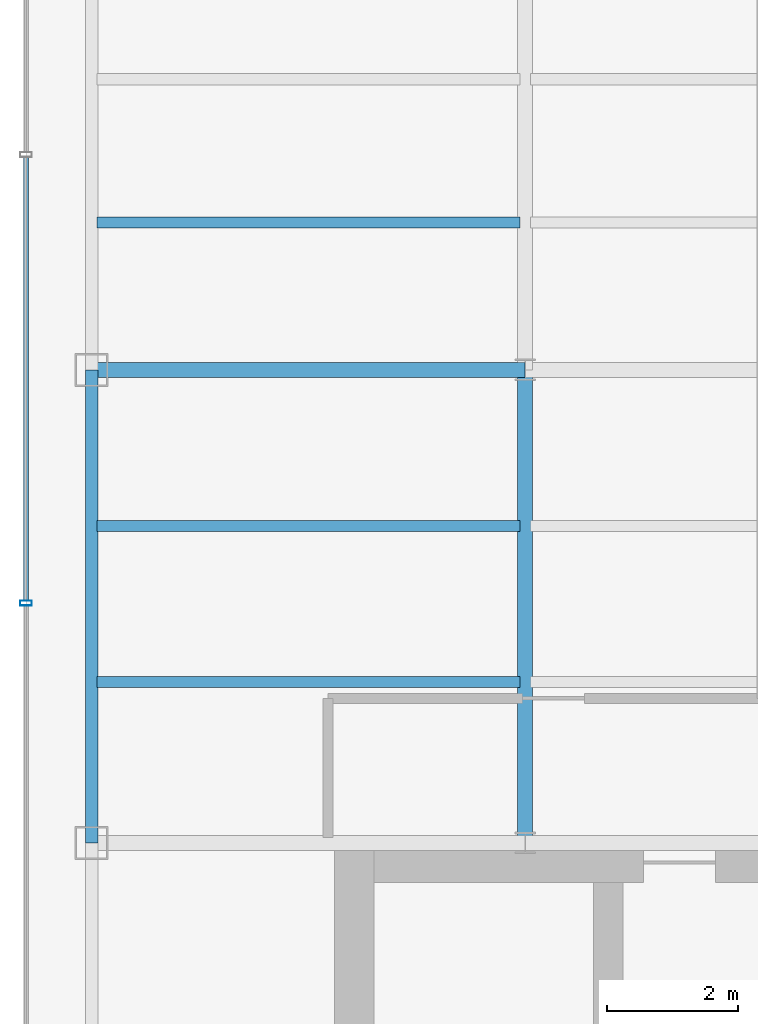
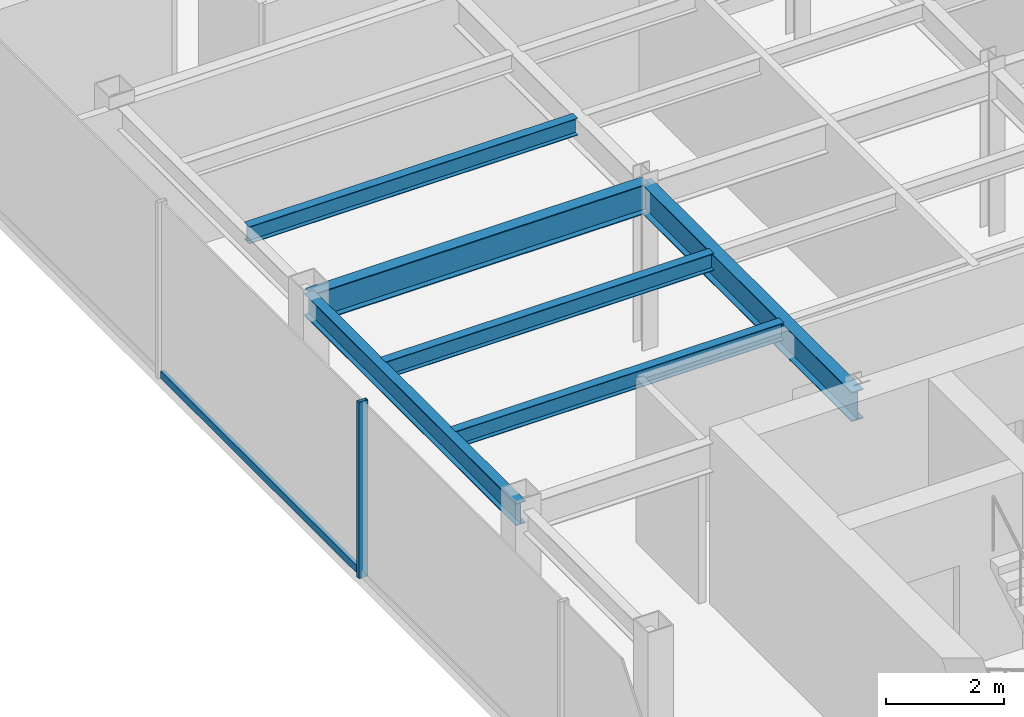
# One storey, part 5 of 22: 6 beams, 2 members, 1 element without a shape of its own.
"""IFC4 building model written with IfcOpenShell, lengths in metres."""

from ifc_helpers import new_model, si_unit, derived_unit, direction, frame, origin, origin_2d, place, context, subcontext, project, spatial, hollow_rectangle, i_section, extrude, source, transform, mapped, material, material_profile, profile_set, type_object, element, aggregate, save


model = new_model("IFC4")

# Units and contexts
model_context = context("Model", 3, precision=1e-05, world=origin(), true_north=direction((0.0, 1.0)))
body_context = subcontext(model_context, "Body", "Model", "MODEL_VIEW")
ifc_project = project(units=[si_unit("LENGTHUNIT", "METRE"), si_unit("AREAUNIT", "SQUARE_METRE"), si_unit("VOLUMEUNIT", "CUBIC_METRE"), si_unit("PLANEANGLEUNIT", "RADIAN"), si_unit("MASSUNIT", "GRAM", prefix="KILO"), derived_unit("THERMALTRANSMITTANCEUNIT", [(si_unit("POWERUNIT", "WATT"), 1), (si_unit("LENGTHUNIT", "METRE"), -2), (si_unit("THERMODYNAMICTEMPERATUREUNIT", "KELVIN"), -1)])], contexts=[model_context])

# Site, building, storey
site_placement = place(None, origin())
site = spatial("IfcSite", under=ifc_project, at=site_placement, CompositionType="ELEMENT")
building_placement = place(site_placement, origin())
building = spatial("IfcBuilding", under=site, at=building_placement, Name="Skarnbrae Concourse Arena and Tower", CompositionType="ELEMENT")
storey_placement = place(building_placement, frame((0.0, 0.0, 192.25)))
storey = spatial("IfcBuildingStorey", under=building, at=storey_placement, Name="L49", CompositionType="ELEMENT", Elevation=192.25)

# Beams
ifc_material_1 = material(Name="Steel CSA G40.21 350W", Category="steel")
ifc_material_profile_1 = material_profile(ifc_material_1, i_section(OverallWidth=0.22802734375, OverallDepth=0.60791015625, WebThickness=0.01123046875, FlangeThickness=0.017333984375, at=origin_2d()), Name="W610X113")
ifc_profile_set_1 = profile_set([ifc_material_profile_1], Name="Steel CSA G40.21 350W")
beam_type_1 = type_object("IfcBeamType", Name="BM-GIRD-W610X113", PredefinedType="BEAM", material=ifc_profile_set_1)
shared_shape_1 = source(origin(), body_context, "Body", "SweptSolid", [
    extrude(i_section(OverallWidth=0.22802734375, OverallDepth=0.60791015625, WebThickness=0.01123046875, FlangeThickness=0.017333984375, at=origin_2d()), origin(), (0.0, 0.0, 1.0), 6.60009765625),
])
beam_1_placement = place(storey_placement, frame((1.0, 21.199951171875, 3.095947265625), z_axis=(1.0, 0.0, 0.0), x_axis=(0.0, 1.0, 0.0)))
element("IfcBeam", 1, at=beam_1_placement, inside=storey, type_object=beam_type_1, Name="L49 Primary E-W girder Y21.2-1", PredefinedType="BEAM", context=body_context, shape_type="MappedRepresentation", body=[
    mapped(shared_shape_1, transform((0.0, 0.0, 0.0))),
])
ifc_material_profile_2 = material_profile(ifc_material_1, i_section(OverallWidth=0.19091796875, OverallDepth=0.4599609375, WebThickness=0.010009765625, FlangeThickness=0.01611328125, at=origin_2d()), Name="W460X82")
ifc_profile_set_2 = profile_set([ifc_material_profile_2], Name="Steel CSA G40.21 350W")
beam_type_2 = type_object("IfcBeamType", Name="BM-SPAN-W460X82", PredefinedType="SPANDREL", material=ifc_profile_set_2)
shared_shape_2 = source(origin(), body_context, "Body", "SweptSolid", [
    extrude(i_section(OverallWidth=0.19091796875, OverallDepth=0.4599609375, WebThickness=0.010009765625, FlangeThickness=0.01611328125, at=origin_2d()), origin(), (0.0, 0.0, 1.0), 7.199951171875),
])
beam_2_placement = place(storey_placement, frame((1.0, 14.0, 3.169921875), z_axis=(0.0, 1.0, 0.0), x_axis=(-1.0, 0.0, 0.0)))
element("IfcBeam", 2, at=beam_2_placement, inside=storey, type_object=beam_type_2, Name="L49 Perimeter spandrel X1.0-2", PredefinedType="SPANDREL", context=body_context, shape_type="MappedRepresentation", body=[
    mapped(shared_shape_2, transform((0.0, 0.0, 0.0))),
])
shared_shape_3 = source(origin(), body_context, "Body", "SweptSolid", [
    extrude(i_section(OverallWidth=0.22802734375, OverallDepth=0.60791015625, WebThickness=0.01123046875, FlangeThickness=0.017333984375, at=origin_2d()), origin(), (0.0, 0.0, 1.0), 7.199951171875),
])
beam_3_placement = place(storey_placement, frame((7.60009765625, 14.0, 3.095947265625), z_axis=(0.0, 1.0, 0.0), x_axis=(-1.0, 0.0, 0.0)))
element("IfcBeam", 3, at=beam_3_placement, inside=storey, type_object=beam_type_1, Name="L49 Primary N-S girder X7.6-1", PredefinedType="BEAM", context=body_context, shape_type="MappedRepresentation", body=[
    mapped(shared_shape_3, transform((0.0, 0.0, 0.0))),
])
ifc_material_profile_3 = material_profile(ifc_material_1, i_section(OverallWidth=0.1708984375, OverallDepth=0.35498046875, WebThickness=0.007080078125, FlangeThickness=0.01171875, at=origin_2d()), Name="W360X51")
ifc_profile_set_3 = profile_set([ifc_material_profile_3], Name="Steel CSA G40.21 350W")
beam_type_3 = type_object("IfcBeamType", Name="BM-JOIST-W360X51", PredefinedType="JOIST", material=ifc_profile_set_3)
shared_shape_4 = source(origin(), body_context, "Body", "SweptSolid", [
    extrude(i_section(OverallWidth=0.1708984375, OverallDepth=0.35498046875, WebThickness=0.007080078125, FlangeThickness=0.01171875, at=origin_2d()), origin(), (0.0, 0.0, 1.0), 6.43994140625),
])
for number, where, z_axis, x_axis, name in (
    (4, (1.080078125, 16.447998046875, 3.222412109375), (1.0, 0.0, 0.0), (0.0, 1.0, 0.0), "L49 Secondary floor joist 1.1.1"),
    (5, (1.080078125, 18.823974609375, 3.222412109375), (1.0, 0.0, 0.0), (0.0, 1.0, 0.0), "L49 Secondary floor joist 1.2.1"),
    (6, (1.080078125, 23.444091796875, 3.222412109375), (1.0, 0.0, 0.0), (0.0, 1.0, 0.0), "L49 Secondary floor joist 2.1.1"),
):
    element("IfcBeam", number, at=place(storey_placement, frame(where, z_axis=z_axis, x_axis=x_axis)), inside=storey, type_object=beam_type_3, Name=name, PredefinedType="JOIST", context=body_context, shape_type="MappedRepresentation", body=[
        mapped(shared_shape_4, transform((0.0, 0.0, 0.0))),
    ])

# Curtain wall, members
ifc_material_2 = material(Name="Bronze anodised aluminium 6063-T6", Category="aluminium")
curtain_wall_type = type_object("IfcCurtainWallType", Name="CW-SYS-05-HIGHZONE", PredefinedType="USERDEFINED", material=ifc_material_2)
curtain_wall_placement = place(storey_placement, origin())
curtain_wall = element("IfcCurtainWall", 7, at=curtain_wall_placement, inside=storey, type_object=curtain_wall_type, Name="L49 Unitised curtain wall CW-L49-E18", ObjectType="UNITISED CURTAIN WALL", PredefinedType="USERDEFINED")
ifc_material_profile_4 = material_profile(ifc_material_2, hollow_rectangle(XDim=0.074951171875, YDim=0.179931640625, WallThickness=0.00390625, at=origin_2d()), Name="ALU-MULL-75X180")
ifc_profile_set_4 = profile_set([ifc_material_profile_4], Name="Bronze anodised aluminium 6063-T6")
member_type_1 = type_object("IfcMemberType", Name="CWM-CW-05", PredefinedType="MULLION", material=ifc_profile_set_4)
shared_shape_5 = source(origin(), body_context, "Body", "SweptSolid", [
    extrude(hollow_rectangle(XDim=0.074951171875, YDim=0.179931640625, WallThickness=0.00390625, at=origin_2d()), origin(), (0.0, 0.0, 1.0), 3.64990234375),
])
member_1_placement = place(storey_placement, frame((0.0, 17.64990234375, 0.0), z_axis=(0.0, 0.0, 1.0), x_axis=(0.0, -1.0, 0.0)))
member_1 = element("IfcMember", 8, at=member_1_placement, type_object=member_type_1, Name="CW-L49-E18 Mullion 3", PredefinedType="MULLION", context=body_context, shape_type="MappedRepresentation", body=[
    mapped(shared_shape_5, transform((0.0, 0.0, 0.0))),
])
ifc_material_profile_5 = material_profile(ifc_material_2, hollow_rectangle(XDim=0.074951171875, YDim=0.14990234375, WallThickness=0.00390625, at=origin_2d()), Name="ALU-TRAN-75X150")
ifc_profile_set_5 = profile_set([ifc_material_profile_5], Name="Bronze anodised aluminium 6063-T6")
member_type_2 = type_object("IfcMemberType", Name="CWT-CW-05", PredefinedType="USERDEFINED", material=ifc_profile_set_5)
shared_shape_6 = source(origin(), body_context, "Body", "SweptSolid", [
    extrude(hollow_rectangle(XDim=0.074951171875, YDim=0.14990234375, WallThickness=0.00390625, at=origin_2d()), origin(), (0.0, 0.0, 1.0), 6.75),
])
member_2_placement = place(storey_placement, frame((0.0, 24.4375, 0.074951171875), z_axis=(0.0, -1.0, 0.0), x_axis=(1.0, 0.0, 0.0)))
member_2 = element("IfcMember", 9, at=member_2_placement, type_object=member_type_2, Name="CW-L49-E18 Transom 2", ObjectType="TRANSOM", PredefinedType="USERDEFINED", context=body_context, shape_type="MappedRepresentation", body=[
    mapped(shared_shape_6, transform((0.0, 0.0, 0.0))),
])
aggregate(curtain_wall, [member_1, member_2])

save(model, "model.ifc")
